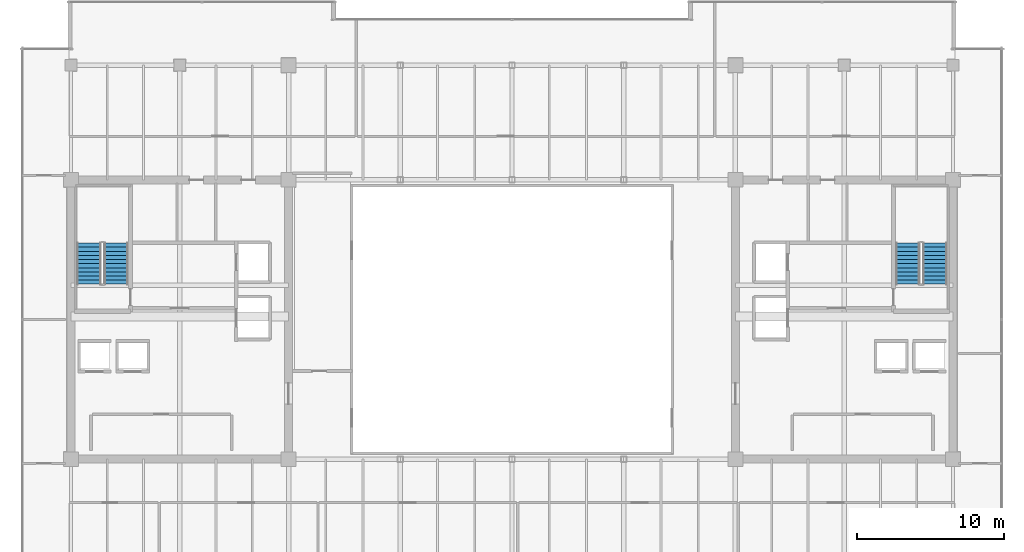
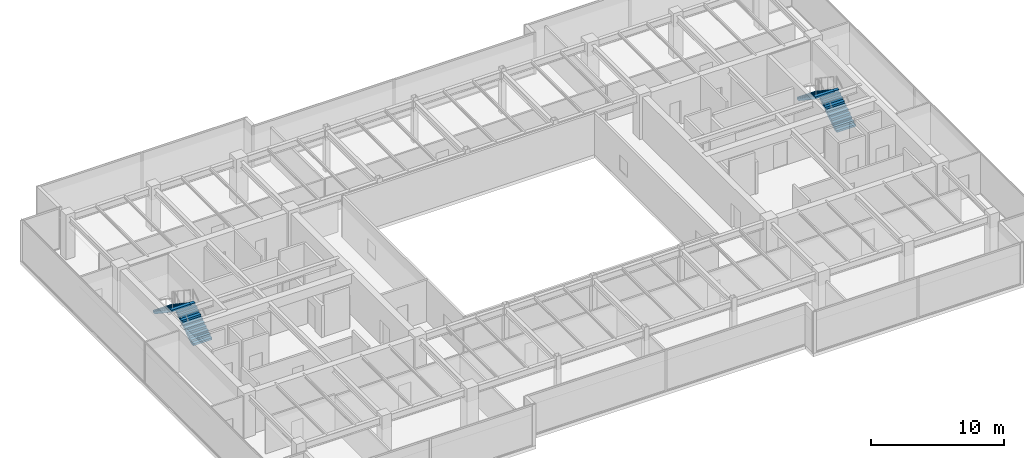
# One storey, part 31 of 36: 4 stair flights, 2 elements without a shape of their own.
"""IFC4 building model written with IfcOpenShell, lengths in metres."""

from ifc_helpers import new_model, si_unit, direction, frame, origin, place, context, subcontext, project, spatial, polyline, outline, extrude, source, transform, mapped, material, type_object, type_shapes, element, aggregate, save


model = new_model("IFC4")

# Units and contexts
model_context = context("Model", 3, precision=1e-05, world=origin(), true_north=direction((0.0, 1.0)))
body_context = subcontext(model_context, "Body", "Model", "MODEL_VIEW")
ifc_project = project(units=[si_unit("LENGTHUNIT", "METRE"), si_unit("AREAUNIT", "SQUARE_METRE"), si_unit("VOLUMEUNIT", "CUBIC_METRE"), si_unit("PLANEANGLEUNIT", "RADIAN"), si_unit("MASSUNIT", "GRAM", prefix="KILO")], contexts=[model_context])

# Site, building, storey
site_placement = place(None, origin())
site = spatial("IfcSite", under=ifc_project, at=site_placement, CompositionType="ELEMENT")
building_placement = place(site_placement, origin())
building = spatial("IfcBuilding", under=site, at=building_placement, Name="Haelvirn Gate Laboratories", CompositionType="ELEMENT")
storey_placement = place(building_placement, frame((0.0, 0.0, 262.89990234375)))
storey = spatial("IfcBuildingStorey", under=building, at=storey_placement, Name="L63", CompositionType="ELEMENT", Elevation=262.89990234375)

# Stair, stair flights
ifc_material = material(Name="Concrete C40/50", Category="concrete")
stair_type = type_object("IfcStairType", Name="ST-DOG-1650-R22", PredefinedType="HALF_TURN_STAIR", material=ifc_material)
stair_1_placement = place(storey_placement, origin())
stair_1 = element("IfcStair", 1, at=stair_1_placement, inside=storey, type_object=stair_type, Name="L63 Escape Stair ST1", PredefinedType="HALF_TURN_STAIR")
stair_flight_type = type_object("IfcStairFlightType", Name="STF-1650-R11", PredefinedType="STRAIGHT", material=ifc_material)
shared_shape = source(origin(), body_context, "Body", "SweptSolid", [
    extrude(outline(polyline([(0.0, 0.0), (0.0, 0.186279296875), (0.280029296875, 0.186279296875), (0.280029296875, 0.372802734375), (0.56005859375, 0.372802734375), (0.56005859375, 0.55908203125), (0.840087890625, 0.55908203125), (0.840087890625, 0.745361328125), (1.1201171875, 0.745361328125), (1.1201171875, 0.931884765625), (1.39990234375, 0.931884765625), (1.39990234375, 1.1181640625), (1.679931640625, 1.1181640625), (1.679931640625, 1.304443359375), (1.9599609375, 1.304443359375), (1.9599609375, 1.490966796875), (2.239990234375, 1.490966796875), (2.239990234375, 1.67724609375), (2.52001953125, 1.67724609375), (2.52001953125, 1.863525390625), (2.800048828125, 1.863525390625), (2.800048828125, 2.050048828125), (2.800048828125, 1.671630859375), (0.28857421875, 0.0), (0.0, 0.0)])), frame((0.0, 0.824951171875, 0.0), z_axis=(0.0, -1.0, 0.0), x_axis=(1.0, 0.0, 0.0)), (0.0, 0.0, 1.0), 1.64990234375),
])
type_shapes(stair_flight_type, [shared_shape])
stair_flight_1_placement = place(storey_placement, frame((10.47509765625, 26.699951171875, 0.0), z_axis=(0.0, 0.0, 1.0), x_axis=(0.0, 1.0, 0.0)))
stair_flight_1 = element("IfcStairFlight", 2, at=stair_flight_1_placement, type_object=stair_flight_type, Name="ST1 flight 1", NumberOfRisers=11, NumberOfTreads=10, PredefinedType="STRAIGHT", RiserHeight=0.186363636, TreadLength=0.28, context=body_context, shape_type="MappedRepresentation", body=[
    mapped(shared_shape, transform((0.0, 0.0, 0.0), scale=1.0)),
])
stair_flight_2_placement = place(storey_placement, frame((8.625, 29.5, 2.050048828125), z_axis=(0.0, 0.0, 1.0), x_axis=(0.0, -1.0, 0.0)))
stair_flight_2 = element("IfcStairFlight", 3, at=stair_flight_2_placement, type_object=stair_flight_type, Name="ST1 flight 2", NumberOfRisers=11, NumberOfTreads=10, PredefinedType="STRAIGHT", RiserHeight=0.186363636, TreadLength=0.28, context=body_context, shape_type="MappedRepresentation", body=[
    mapped(shared_shape, transform((0.0, 0.0, 0.0), scale=1.0)),
])
aggregate(stair_1, [stair_flight_1, stair_flight_2])

stair_2_placement = place(storey_placement, origin())
stair_2 = element("IfcStair", 4, at=stair_2_placement, inside=storey, type_object=stair_type, Name="L63 Escape Stair ST2", PredefinedType="HALF_TURN_STAIR")
stair_flight_3_placement = place(storey_placement, frame((66.175048828125, 26.699951171875, 0.0), z_axis=(0.0, 0.0, 1.0), x_axis=(0.0, 1.0, 0.0)))
stair_flight_3 = element("IfcStairFlight", 5, at=stair_flight_3_placement, type_object=stair_flight_type, Name="ST2 flight 1", NumberOfRisers=11, NumberOfTreads=10, PredefinedType="STRAIGHT", RiserHeight=0.186363636, TreadLength=0.28, context=body_context, shape_type="MappedRepresentation", body=[
    mapped(shared_shape, transform((0.0, 0.0, 0.0), scale=1.0)),
])
stair_flight_4_placement = place(storey_placement, frame((64.324951171875, 29.5, 2.050048828125), z_axis=(0.0, 0.0, 1.0), x_axis=(0.0, -1.0, 0.0)))
stair_flight_4 = element("IfcStairFlight", 6, at=stair_flight_4_placement, type_object=stair_flight_type, Name="ST2 flight 2", NumberOfRisers=11, NumberOfTreads=10, PredefinedType="STRAIGHT", RiserHeight=0.186363636, TreadLength=0.28, context=body_context, shape_type="MappedRepresentation", body=[
    mapped(shared_shape, transform((0.0, 0.0, 0.0), scale=1.0)),
])
aggregate(stair_2, [stair_flight_3, stair_flight_4])

save(model, "model.ifc")
